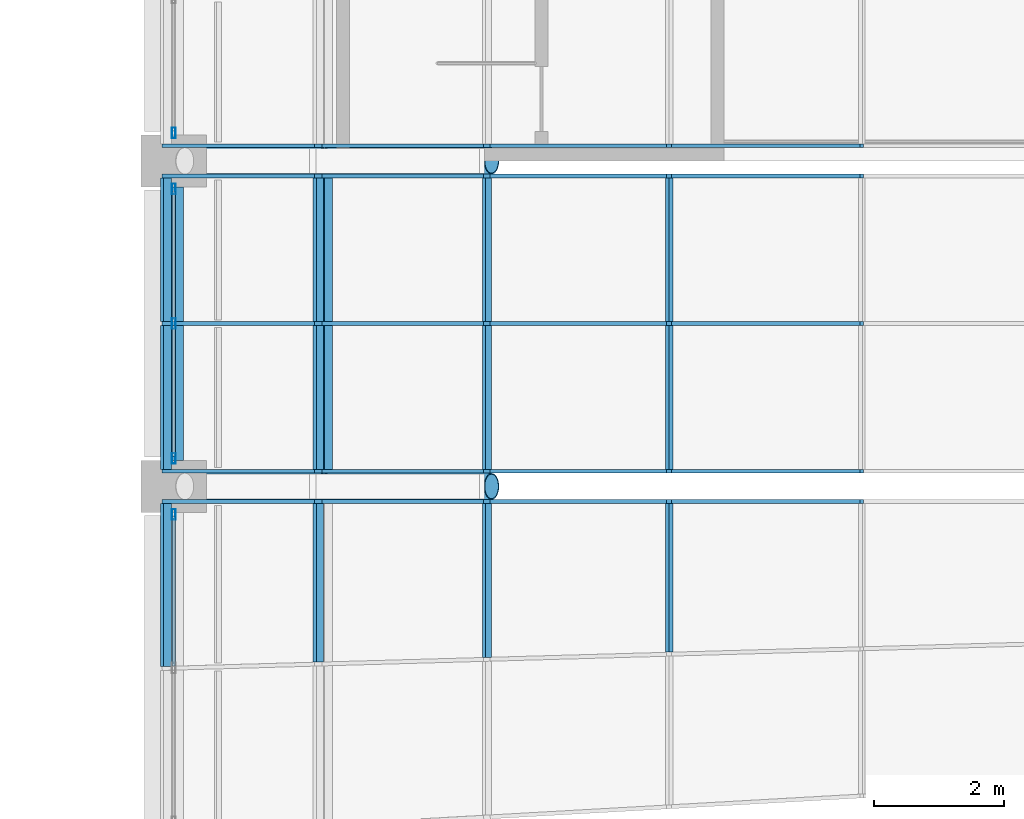
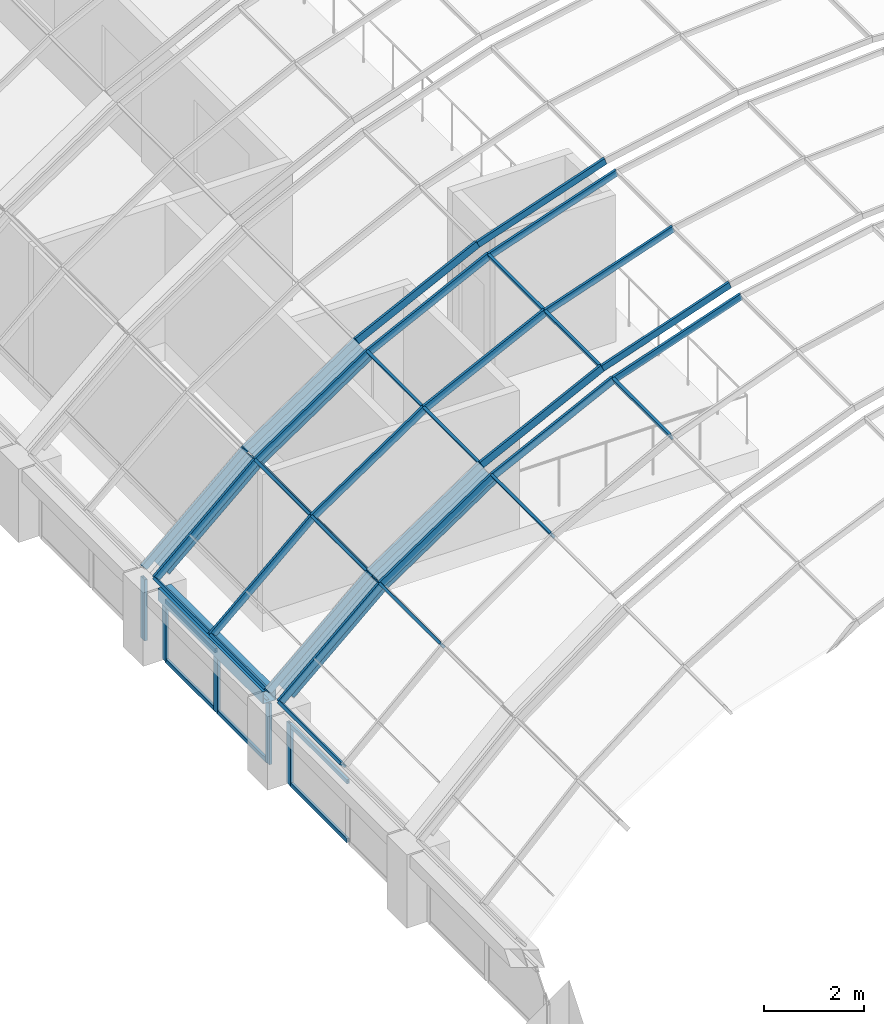
# One storey, part 37 of 182: 48 members, 1 beam, 6 elements without a shape of their own.
"""IFC4 building model written with IfcOpenShell, lengths in metres."""

from ifc_helpers import new_model, si_unit, direction, frame, origin, origin_2d, place, context, subcontext, project, spatial, rectangle, hollow_rectangle, hollow_circle, extrude, material, material_profile, profile_set, type_object, element, aggregate, save


model = new_model("IFC4")

# Units and contexts
model_context = context("Model", 3, precision=1e-05, world=origin(), true_north=direction((0.0, 1.0)))
body_context = subcontext(model_context, "Body", "Model", "MODEL_VIEW")
ifc_project = project(units=[si_unit("LENGTHUNIT", "METRE"), si_unit("AREAUNIT", "SQUARE_METRE"), si_unit("VOLUMEUNIT", "CUBIC_METRE"), si_unit("PLANEANGLEUNIT", "RADIAN"), si_unit("MASSUNIT", "GRAM", prefix="KILO")], contexts=[model_context])

# Site, building, storey
site_placement = place(None, origin())
site = spatial("IfcSite", under=ifc_project, at=site_placement, CompositionType="ELEMENT")
building_placement = place(site_placement, origin())
building = spatial("IfcBuilding", under=site, at=building_placement, Name="Okhra Congress Centre", CompositionType="ELEMENT")
storey_placement = place(building_placement, frame((0.0, 0.0, 7.199951171875)))
storey = spatial("IfcBuildingStorey", under=building, at=storey_placement, Name="L01", CompositionType="ELEMENT", Elevation=7.199951171875)

# Curtain wall, member
ifc_material_1 = material(Name="Aluminium frame with triple glazing", Category="aluminium")
curtain_wall_type_1 = type_object("IfcCurtainWallType", Name="Glazed vault bay curtain wall", PredefinedType="NOTDEFINED", material=ifc_material_1)
curtain_wall_1_placement = place(storey_placement, origin())
curtain_wall_1 = element("IfcCurtainWall", 1, at=curtain_wall_1_placement, inside=storey, type_object=curtain_wall_type_1, Name="Vault glazing bay 3", PredefinedType="NOTDEFINED")
ifc_material_2 = material(Name="Aluminium alloy 6063", Category="aluminium")
ifc_material_profile_1 = material_profile(ifc_material_2, rectangle(XDim=0.06005859375, YDim=0.159912109375, at=origin_2d()), Name="AL 60x160")
ifc_profile_set_1 = profile_set([ifc_material_profile_1], Name="Aluminium alloy 6063")
member_type_1 = type_object("IfcMemberType", Name="Aluminium mullion 60x160", PredefinedType="MULLION", material=ifc_profile_set_1)
member_1_placement = place(storey_placement, frame((163.11328125, 90.766845703125, 7.12255859375), z_axis=(0.946065064306, 0.0, 0.323976687587), x_axis=(0.0, 1.0, 0.0)))
member_1 = element("IfcMember", 2, at=member_1_placement, type_object=member_type_1, Name="Vault mullion 3.3.4", PredefinedType="MULLION", context=body_context, shape_type="SweptSolid", body=[
    extrude(rectangle(XDim=0.06005859375, YDim=0.159912109375, at=origin_2d()), origin(), (0.0, 0.0, 1.0), 3.124267578125),
])

# Curtain wall, members
curtain_wall_2_placement = place(storey_placement, origin())
curtain_wall_2 = element("IfcCurtainWall", 3, at=curtain_wall_2_placement, inside=storey, type_object=curtain_wall_type_1, Name="Vault glazing bay 4", PredefinedType="NOTDEFINED")
member_2_placement = place(storey_placement, frame((163.11328125, 91.233154296875, 7.12255859375), z_axis=(0.946065064306, 0.0, 0.323976687587), x_axis=(0.0, 1.0, 0.0)))
member_2 = element("IfcMember", 4, at=member_2_placement, type_object=member_type_1, Name="Vault mullion 4.1.4", PredefinedType="MULLION", context=body_context, shape_type="SweptSolid", body=[
    extrude(rectangle(XDim=0.06005859375, YDim=0.159912109375, at=origin_2d()), origin(), (0.0, 0.0, 1.0), 3.124267578125),
])
member_3_placement = place(storey_placement, frame((163.11328125, 93.5, 7.12255859375), z_axis=(0.946065064306, 0.0, 0.323976687587), x_axis=(0.0, 1.0, 0.0)))
member_3 = element("IfcMember", 5, at=member_3_placement, type_object=member_type_1, Name="Vault mullion 4.2.4", PredefinedType="MULLION", context=body_context, shape_type="SweptSolid", body=[
    extrude(rectangle(XDim=0.06005859375, YDim=0.159912109375, at=origin_2d()), origin(), (0.0, 0.0, 1.0), 3.124267578125),
])
member_4_placement = place(storey_placement, frame((163.11328125, 95.766845703125, 7.12255859375), z_axis=(0.946065064306, 0.0, 0.323976687587), x_axis=(0.0, 1.0, 0.0)))
member_4 = element("IfcMember", 6, at=member_4_placement, type_object=member_type_1, Name="Vault mullion 4.3.4", PredefinedType="MULLION", context=body_context, shape_type="SweptSolid", body=[
    extrude(rectangle(XDim=0.06005859375, YDim=0.159912109375, at=origin_2d()), origin(), (0.0, 0.0, 1.0), 3.124267578125),
])

# Curtain wall, member
curtain_wall_3_placement = place(storey_placement, origin())
curtain_wall_3 = element("IfcCurtainWall", 7, at=curtain_wall_3_placement, inside=storey, type_object=curtain_wall_type_1, Name="Vault glazing bay 5", PredefinedType="NOTDEFINED")
member_5_placement = place(storey_placement, frame((163.11328125, 96.233154296875, 7.12255859375), z_axis=(0.946065064306, 0.0, 0.323976687587), x_axis=(0.0, 1.0, 0.0)))
member_5 = element("IfcMember", 8, at=member_5_placement, type_object=member_type_1, Name="Vault mullion 5.1.4", PredefinedType="MULLION", context=body_context, shape_type="SweptSolid", body=[
    extrude(rectangle(XDim=0.06005859375, YDim=0.159912109375, at=origin_2d()), origin(), (0.0, 0.0, 1.0), 3.124267578125),
])

# Member
ifc_material_profile_2 = material_profile(ifc_material_2, rectangle(XDim=0.06005859375, YDim=0.179931640625, at=origin_2d()), Name="AL 60x180")
ifc_profile_set_2 = profile_set([ifc_material_profile_2], Name="Aluminium alloy 6063")
member_type_2 = type_object("IfcMemberType", Name="Aluminium mullion 60x180", PredefinedType="MULLION", material=ifc_profile_set_2)
member_6_placement = place(storey_placement, frame((155.382568359375, 90.766845703125, 1.916015625), z_axis=(0.748025229923, 0.0, 0.663670291183), x_axis=(0.0, 1.0, 0.0)))
member_6 = element("IfcMember", 9, at=member_6_placement, type_object=member_type_2, Name="Vault mullion 3.3.1", PredefinedType="MULLION", context=body_context, shape_type="SweptSolid", body=[
    extrude(rectangle(XDim=0.06005859375, YDim=0.179931640625, at=origin_2d()), origin(), (0.0, 0.0, 1.0), 3.125732421875),
])

member_7_placement = place(storey_placement, frame((157.720703125, 90.766845703125, 3.990478515625), z_axis=(0.828827846338, 0.0, 0.559503709671), x_axis=(0.0, 1.0, 0.0)))
member_7 = element("IfcMember", 10, at=member_7_placement, type_object=member_type_2, Name="Vault mullion 3.3.2", PredefinedType="MULLION", context=body_context, shape_type="SweptSolid", body=[
    extrude(rectangle(XDim=0.06005859375, YDim=0.179931640625, at=origin_2d()), origin(), (0.0, 0.0, 1.0), 3.12548828125),
])

member_8_placement = place(storey_placement, frame((160.311279296875, 90.766845703125, 5.7392578125), z_axis=(0.895253656313, 0.0, 0.445556832354), x_axis=(0.0, 1.0, 0.0)))
member_8 = element("IfcMember", 11, at=member_8_placement, type_object=member_type_2, Name="Vault mullion 3.3.3", PredefinedType="MULLION", context=body_context, shape_type="SweptSolid", body=[
    extrude(rectangle(XDim=0.06005859375, YDim=0.179931640625, at=origin_2d()), origin(), (0.0, 0.0, 1.0), 3.12548828125),
])

member_9_placement = place(storey_placement, frame((155.382568359375, 91.233154296875, 1.916015625), z_axis=(0.748025229923, 0.0, 0.663670291183), x_axis=(0.0, 1.0, 0.0)))
member_9 = element("IfcMember", 12, at=member_9_placement, type_object=member_type_2, Name="Vault mullion 4.1.1", PredefinedType="MULLION", context=body_context, shape_type="SweptSolid", body=[
    extrude(rectangle(XDim=0.06005859375, YDim=0.179931640625, at=origin_2d()), origin(), (0.0, 0.0, 1.0), 3.125732421875),
])

member_10_placement = place(storey_placement, frame((157.720703125, 91.233154296875, 3.990478515625), z_axis=(0.828827846338, 0.0, 0.559503709671), x_axis=(0.0, 1.0, 0.0)))
member_10 = element("IfcMember", 13, at=member_10_placement, type_object=member_type_2, Name="Vault mullion 4.1.2", PredefinedType="MULLION", context=body_context, shape_type="SweptSolid", body=[
    extrude(rectangle(XDim=0.06005859375, YDim=0.179931640625, at=origin_2d()), origin(), (0.0, 0.0, 1.0), 3.12548828125),
])

member_11_placement = place(storey_placement, frame((160.311279296875, 91.233154296875, 5.7392578125), z_axis=(0.895253656313, 0.0, 0.445556832354), x_axis=(0.0, 1.0, 0.0)))
member_11 = element("IfcMember", 14, at=member_11_placement, type_object=member_type_2, Name="Vault mullion 4.1.3", PredefinedType="MULLION", context=body_context, shape_type="SweptSolid", body=[
    extrude(rectangle(XDim=0.06005859375, YDim=0.179931640625, at=origin_2d()), origin(), (0.0, 0.0, 1.0), 3.12548828125),
])

member_12_placement = place(storey_placement, frame((155.382568359375, 93.5, 1.916015625), z_axis=(0.748025229923, 0.0, 0.663670291183), x_axis=(0.0, 1.0, 0.0)))
member_12 = element("IfcMember", 15, at=member_12_placement, type_object=member_type_2, Name="Vault mullion 4.2.1", PredefinedType="MULLION", context=body_context, shape_type="SweptSolid", body=[
    extrude(rectangle(XDim=0.06005859375, YDim=0.179931640625, at=origin_2d()), origin(), (0.0, 0.0, 1.0), 3.125732421875),
])

member_13_placement = place(storey_placement, frame((157.720703125, 93.5, 3.990478515625), z_axis=(0.828827846338, 0.0, 0.559503709671), x_axis=(0.0, 1.0, 0.0)))
member_13 = element("IfcMember", 16, at=member_13_placement, type_object=member_type_2, Name="Vault mullion 4.2.2", PredefinedType="MULLION", context=body_context, shape_type="SweptSolid", body=[
    extrude(rectangle(XDim=0.06005859375, YDim=0.179931640625, at=origin_2d()), origin(), (0.0, 0.0, 1.0), 3.12548828125),
])

member_14_placement = place(storey_placement, frame((160.311279296875, 93.5, 5.7392578125), z_axis=(0.895253656313, 0.0, 0.445556832354), x_axis=(0.0, 1.0, 0.0)))
member_14 = element("IfcMember", 17, at=member_14_placement, type_object=member_type_2, Name="Vault mullion 4.2.3", PredefinedType="MULLION", context=body_context, shape_type="SweptSolid", body=[
    extrude(rectangle(XDim=0.06005859375, YDim=0.179931640625, at=origin_2d()), origin(), (0.0, 0.0, 1.0), 3.12548828125),
])

member_15_placement = place(storey_placement, frame((155.382568359375, 95.766845703125, 1.916015625), z_axis=(0.748025229923, 0.0, 0.663670291183), x_axis=(0.0, 1.0, 0.0)))
member_15 = element("IfcMember", 18, at=member_15_placement, type_object=member_type_2, Name="Vault mullion 4.3.1", PredefinedType="MULLION", context=body_context, shape_type="SweptSolid", body=[
    extrude(rectangle(XDim=0.06005859375, YDim=0.179931640625, at=origin_2d()), origin(), (0.0, 0.0, 1.0), 3.125732421875),
])

member_16_placement = place(storey_placement, frame((157.720703125, 95.766845703125, 3.990478515625), z_axis=(0.828827846338, 0.0, 0.559503709671), x_axis=(0.0, 1.0, 0.0)))
member_16 = element("IfcMember", 19, at=member_16_placement, type_object=member_type_2, Name="Vault mullion 4.3.2", PredefinedType="MULLION", context=body_context, shape_type="SweptSolid", body=[
    extrude(rectangle(XDim=0.06005859375, YDim=0.179931640625, at=origin_2d()), origin(), (0.0, 0.0, 1.0), 3.12548828125),
])

member_17_placement = place(storey_placement, frame((160.311279296875, 95.766845703125, 5.7392578125), z_axis=(0.895253656313, 0.0, 0.445556832354), x_axis=(0.0, 1.0, 0.0)))
member_17 = element("IfcMember", 20, at=member_17_placement, type_object=member_type_2, Name="Vault mullion 4.3.3", PredefinedType="MULLION", context=body_context, shape_type="SweptSolid", body=[
    extrude(rectangle(XDim=0.06005859375, YDim=0.179931640625, at=origin_2d()), origin(), (0.0, 0.0, 1.0), 3.12548828125),
])

member_18_placement = place(storey_placement, frame((155.382568359375, 96.233154296875, 1.916015625), z_axis=(0.748025229923, 0.0, 0.663670291183), x_axis=(0.0, 1.0, 0.0)))
member_18 = element("IfcMember", 21, at=member_18_placement, type_object=member_type_2, Name="Vault mullion 5.1.1", PredefinedType="MULLION", context=body_context, shape_type="SweptSolid", body=[
    extrude(rectangle(XDim=0.06005859375, YDim=0.179931640625, at=origin_2d()), origin(), (0.0, 0.0, 1.0), 3.125732421875),
])

member_19_placement = place(storey_placement, frame((157.720703125, 96.233154296875, 3.990478515625), z_axis=(0.828827846338, 0.0, 0.559503709671), x_axis=(0.0, 1.0, 0.0)))
member_19 = element("IfcMember", 22, at=member_19_placement, type_object=member_type_2, Name="Vault mullion 5.1.2", PredefinedType="MULLION", context=body_context, shape_type="SweptSolid", body=[
    extrude(rectangle(XDim=0.06005859375, YDim=0.179931640625, at=origin_2d()), origin(), (0.0, 0.0, 1.0), 3.12548828125),
])

member_20_placement = place(storey_placement, frame((160.311279296875, 96.233154296875, 5.7392578125), z_axis=(0.895253656313, 0.0, 0.445556832354), x_axis=(0.0, 1.0, 0.0)))
member_20 = element("IfcMember", 23, at=member_20_placement, type_object=member_type_2, Name="Vault mullion 5.1.3", PredefinedType="MULLION", context=body_context, shape_type="SweptSolid", body=[
    extrude(rectangle(XDim=0.06005859375, YDim=0.179931640625, at=origin_2d()), origin(), (0.0, 0.0, 1.0), 3.12548828125),
])

aggregate(curtain_wall_3, [member_18, member_19, member_20, member_5])

ifc_material_profile_3 = material_profile(ifc_material_2, rectangle(XDim=0.06005859375, YDim=0.159912109375, at=origin_2d()), Name="AL 60x160 transom")
ifc_profile_set_3 = profile_set([ifc_material_profile_3], Name="Aluminium alloy 6063")
member_type_3 = type_object("IfcMemberType", Name="Aluminium transom 60x160", PredefinedType="USERDEFINED", material=ifc_profile_set_3)
member_21_placement = place(storey_placement, frame((163.11328125, 88.4521484375, 7.12255859375), z_axis=(0.0, 1.0, 0.0), x_axis=(-0.922668973833, 0.0, -0.38559300399)))
member_21 = element("IfcMember", 24, at=member_21_placement, type_object=member_type_3, Name="Vault transom 3.2.4", ObjectType="TRANSOM", PredefinedType="USERDEFINED", context=body_context, shape_type="SweptSolid", body=[
    extrude(rectangle(XDim=0.06005859375, YDim=0.159912109375, at=origin_2d()), origin(), (0.0, 0.0, 1.0), 2.28466796875),
])

member_22_placement = place(storey_placement, frame((163.11328125, 91.26318359375, 7.12255859375), z_axis=(0.0, 1.0, 0.0), x_axis=(-0.922668973833, 0.0, -0.38559300399)))
member_22 = element("IfcMember", 25, at=member_22_placement, type_object=member_type_3, Name="Vault transom 4.1.4", ObjectType="TRANSOM", PredefinedType="USERDEFINED", context=body_context, shape_type="SweptSolid", body=[
    extrude(rectangle(XDim=0.06005859375, YDim=0.159912109375, at=origin_2d()), origin(), (0.0, 0.0, 1.0), 2.206787109375),
])

member_23_placement = place(storey_placement, frame((163.11328125, 93.530029296875, 7.12255859375), z_axis=(0.0, 1.0, 0.0), x_axis=(-0.922668973833, 0.0, -0.38559300399)))
member_23 = element("IfcMember", 26, at=member_23_placement, type_object=member_type_3, Name="Vault transom 4.2.4", ObjectType="TRANSOM", PredefinedType="USERDEFINED", context=body_context, shape_type="SweptSolid", body=[
    extrude(rectangle(XDim=0.06005859375, YDim=0.159912109375, at=origin_2d()), origin(), (0.0, 0.0, 1.0), 2.206787109375),
])

ifc_material_profile_4 = material_profile(ifc_material_2, rectangle(XDim=0.06005859375, YDim=0.179931640625, at=origin_2d()), Name="AL 60x180 transom")
ifc_profile_set_4 = profile_set([ifc_material_profile_4], Name="Aluminium alloy 6063")
member_type_4 = type_object("IfcMemberType", Name="Aluminium transom 60x180", PredefinedType="USERDEFINED", material=ifc_profile_set_4)
member_24_placement = place(storey_placement, frame((155.382568359375, 88.234619140625, 1.916015625), z_axis=(0.0, 1.0, 0.0), x_axis=(-0.702636070549, 0.0, -0.711549402616)))
member_24 = element("IfcMember", 27, at=member_24_placement, type_object=member_type_4, Name="Vault transom 3.2.1", ObjectType="TRANSOM", PredefinedType="USERDEFINED", context=body_context, shape_type="SweptSolid", body=[
    extrude(rectangle(XDim=0.06005859375, YDim=0.179931640625, at=origin_2d()), origin(), (0.0, 0.0, 1.0), 2.502197265625),
])

member_25_placement = place(storey_placement, frame((157.720703125, 88.300537109375, 3.990478515625), z_axis=(0.0, 1.0, 0.0), x_axis=(-0.790145035185, 0.0, -0.612919915954)))
member_25 = element("IfcMember", 28, at=member_25_placement, type_object=member_type_4, Name="Vault transom 3.2.2", ObjectType="TRANSOM", PredefinedType="USERDEFINED", context=body_context, shape_type="SweptSolid", body=[
    extrude(rectangle(XDim=0.06005859375, YDim=0.179931640625, at=origin_2d()), origin(), (0.0, 0.0, 1.0), 2.436279296875),
])

member_26_placement = place(storey_placement, frame((160.311279296875, 88.373291015625, 5.7392578125), z_axis=(0.0, 1.0, 0.0), x_axis=(-0.86391685861, 0.0, -0.503634452167)))
member_26 = element("IfcMember", 29, at=member_26_placement, type_object=member_type_4, Name="Vault transom 3.2.3", ObjectType="TRANSOM", PredefinedType="USERDEFINED", context=body_context, shape_type="SweptSolid", body=[
    extrude(rectangle(XDim=0.06005859375, YDim=0.179931640625, at=origin_2d()), origin(), (0.0, 0.0, 1.0), 2.363525390625),
])

aggregate(curtain_wall_1, [member_6, member_7, member_8, member_1, member_24, member_25, member_26, member_21])

member_27_placement = place(storey_placement, frame((155.382568359375, 91.26318359375, 1.916015625), z_axis=(0.0, 1.0, 0.0), x_axis=(-0.702636070549, 0.0, -0.711549402616)))
member_27 = element("IfcMember", 30, at=member_27_placement, type_object=member_type_4, Name="Vault transom 4.1.1", ObjectType="TRANSOM", PredefinedType="USERDEFINED", context=body_context, shape_type="SweptSolid", body=[
    extrude(rectangle(XDim=0.06005859375, YDim=0.179931640625, at=origin_2d()), origin(), (0.0, 0.0, 1.0), 2.206787109375),
])

member_28_placement = place(storey_placement, frame((157.720703125, 91.26318359375, 3.990478515625), z_axis=(0.0, 1.0, 0.0), x_axis=(-0.790145035185, 0.0, -0.612919915954)))
member_28 = element("IfcMember", 31, at=member_28_placement, type_object=member_type_4, Name="Vault transom 4.1.2", ObjectType="TRANSOM", PredefinedType="USERDEFINED", context=body_context, shape_type="SweptSolid", body=[
    extrude(rectangle(XDim=0.06005859375, YDim=0.179931640625, at=origin_2d()), origin(), (0.0, 0.0, 1.0), 2.206787109375),
])

member_29_placement = place(storey_placement, frame((160.311279296875, 91.26318359375, 5.7392578125), z_axis=(0.0, 1.0, 0.0), x_axis=(-0.86391685861, 0.0, -0.503634452167)))
member_29 = element("IfcMember", 32, at=member_29_placement, type_object=member_type_4, Name="Vault transom 4.1.3", ObjectType="TRANSOM", PredefinedType="USERDEFINED", context=body_context, shape_type="SweptSolid", body=[
    extrude(rectangle(XDim=0.06005859375, YDim=0.179931640625, at=origin_2d()), origin(), (0.0, 0.0, 1.0), 2.206787109375),
])

member_30_placement = place(storey_placement, frame((155.382568359375, 93.530029296875, 1.916015625), z_axis=(0.0, 1.0, 0.0), x_axis=(-0.702636070549, 0.0, -0.711549402616)))
member_30 = element("IfcMember", 33, at=member_30_placement, type_object=member_type_4, Name="Vault transom 4.2.1", ObjectType="TRANSOM", PredefinedType="USERDEFINED", context=body_context, shape_type="SweptSolid", body=[
    extrude(rectangle(XDim=0.06005859375, YDim=0.179931640625, at=origin_2d()), origin(), (0.0, 0.0, 1.0), 2.206787109375),
])

member_31_placement = place(storey_placement, frame((157.720703125, 93.530029296875, 3.990478515625), z_axis=(0.0, 1.0, 0.0), x_axis=(-0.790145035185, 0.0, -0.612919915954)))
member_31 = element("IfcMember", 34, at=member_31_placement, type_object=member_type_4, Name="Vault transom 4.2.2", ObjectType="TRANSOM", PredefinedType="USERDEFINED", context=body_context, shape_type="SweptSolid", body=[
    extrude(rectangle(XDim=0.06005859375, YDim=0.179931640625, at=origin_2d()), origin(), (0.0, 0.0, 1.0), 2.206787109375),
])

member_32_placement = place(storey_placement, frame((160.311279296875, 93.530029296875, 5.7392578125), z_axis=(0.0, 1.0, 0.0), x_axis=(-0.86391685861, 0.0, -0.503634452167)))
member_32 = element("IfcMember", 35, at=member_32_placement, type_object=member_type_4, Name="Vault transom 4.2.3", ObjectType="TRANSOM", PredefinedType="USERDEFINED", context=body_context, shape_type="SweptSolid", body=[
    extrude(rectangle(XDim=0.06005859375, YDim=0.179931640625, at=origin_2d()), origin(), (0.0, 0.0, 1.0), 2.206787109375),
])

aggregate(curtain_wall_2, [member_9, member_10, member_11, member_2, member_12, member_13, member_14, member_3, member_15, member_16, member_17, member_4, member_27, member_28, member_29, member_22, member_30, member_31, member_32, member_23])

# Curtain wall, member
ifc_material_3 = material(Name="Aluminium curtain wall, triple glazing", Category="aluminium")
curtain_wall_type_2 = type_object("IfcCurtainWallType", Name="Curtain wall 2100 module", PredefinedType="NOTDEFINED", material=ifc_material_3)
curtain_wall_4_placement = place(storey_placement, origin())
curtain_wall_4 = element("IfcCurtainWall", 36, at=curtain_wall_4_placement, inside=storey, type_object=curtain_wall_type_2, Name="West bay 3 clerestory glazing", PredefinedType="NOTDEFINED")
ifc_material_4 = material(Name="Aluminium alloy EN AW-6063 T66", Category="aluminium")
ifc_material_profile_5 = material_profile(ifc_material_4, hollow_rectangle(XDim=0.06005859375, YDim=0.159912109375, WallThickness=0.00390625, at=origin_2d()), Name="RHS 60x160x4")
ifc_profile_set_5 = profile_set([ifc_material_profile_5], Name="Aluminium alloy EN AW-6063 T66")
member_type_5 = type_object("IfcMemberType", Name="Curtain wall mullion 60x160", PredefinedType="MULLION", material=ifc_profile_set_5)
member_33_placement = place(storey_placement, frame((155.5, 90.570068359375, 0.0), z_axis=(0.0, 0.0, 1.0), x_axis=(-1.0, 0.0, 0.0)))
member_33 = element("IfcMember", 37, at=member_33_placement, type_object=member_type_5, Name="CW4 mullion 3", PredefinedType="MULLION", context=body_context, shape_type="SweptSolid", body=[
    extrude(hollow_rectangle(XDim=0.06005859375, YDim=0.159912109375, WallThickness=0.00390625, at=origin_2d()), origin(), (0.0, 0.0, 1.0), 1.5),
])

# Curtain wall, members
curtain_wall_5_placement = place(storey_placement, origin())
curtain_wall_5 = element("IfcCurtainWall", 38, at=curtain_wall_5_placement, inside=storey, type_object=curtain_wall_type_2, Name="West bay 4 clerestory glazing", PredefinedType="NOTDEFINED")
member_34_placement = place(storey_placement, frame((155.5, 91.429931640625, 0.0), z_axis=(0.0, 0.0, 1.0), x_axis=(-1.0, 0.0, 0.0)))
member_34 = element("IfcMember", 39, at=member_34_placement, type_object=member_type_5, Name="CW4 mullion 1", PredefinedType="MULLION", context=body_context, shape_type="SweptSolid", body=[
    extrude(hollow_rectangle(XDim=0.06005859375, YDim=0.159912109375, WallThickness=0.00390625, at=origin_2d()), origin(), (0.0, 0.0, 1.0), 1.5),
])
member_35_placement = place(storey_placement, frame((155.5, 93.5, 0.0), z_axis=(0.0, 0.0, 1.0), x_axis=(-1.0, 0.0, 0.0)))
member_35 = element("IfcMember", 40, at=member_35_placement, type_object=member_type_5, Name="CW4 mullion 2", PredefinedType="MULLION", context=body_context, shape_type="SweptSolid", body=[
    extrude(hollow_rectangle(XDim=0.06005859375, YDim=0.159912109375, WallThickness=0.00390625, at=origin_2d()), origin(), (0.0, 0.0, 1.0), 1.5),
])
member_36_placement = place(storey_placement, frame((155.5, 95.570068359375, 0.0), z_axis=(0.0, 0.0, 1.0), x_axis=(-1.0, 0.0, 0.0)))
member_36 = element("IfcMember", 41, at=member_36_placement, type_object=member_type_5, Name="CW4 mullion 3", PredefinedType="MULLION", context=body_context, shape_type="SweptSolid", body=[
    extrude(hollow_rectangle(XDim=0.06005859375, YDim=0.159912109375, WallThickness=0.00390625, at=origin_2d()), origin(), (0.0, 0.0, 1.0), 1.5),
])

# Curtain wall, member
curtain_wall_6_placement = place(storey_placement, origin())
curtain_wall_6 = element("IfcCurtainWall", 42, at=curtain_wall_6_placement, inside=storey, type_object=curtain_wall_type_2, Name="West bay 5 clerestory glazing", PredefinedType="NOTDEFINED")
member_37_placement = place(storey_placement, frame((155.5, 96.429931640625, 0.0), z_axis=(0.0, 0.0, 1.0), x_axis=(-1.0, 0.0, 0.0)))
member_37 = element("IfcMember", 43, at=member_37_placement, type_object=member_type_5, Name="CW4 mullion 1", PredefinedType="MULLION", context=body_context, shape_type="SweptSolid", body=[
    extrude(hollow_rectangle(XDim=0.06005859375, YDim=0.159912109375, WallThickness=0.00390625, at=origin_2d()), origin(), (0.0, 0.0, 1.0), 1.5),
])
aggregate(curtain_wall_6, [member_37])

# Member
ifc_material_profile_6 = material_profile(ifc_material_4, hollow_rectangle(XDim=0.06005859375, YDim=0.10009765625, WallThickness=0.00390625, at=origin_2d()), Name="RHS 60x100x4")
ifc_profile_set_6 = profile_set([ifc_material_profile_6], Name="Aluminium alloy EN AW-6063 T66")
member_type_6 = type_object("IfcMemberType", Name="Curtain wall transom 60x100", PredefinedType="USERDEFINED", material=ifc_profile_set_6)
member_38_placement = place(storey_placement, frame((155.5, 88.23779296875, 0.030029296875), z_axis=(0.0, 1.0, 0.0), x_axis=(-1.0, 0.0, 0.0)))
member_38 = element("IfcMember", 44, at=member_38_placement, type_object=member_type_6, Name="CW4 transom 2.1", ObjectType="TRANSOM", PredefinedType="USERDEFINED", context=body_context, shape_type="SweptSolid", body=[
    extrude(hollow_rectangle(XDim=0.06005859375, YDim=0.10009765625, WallThickness=0.00390625, at=origin_2d()), origin(), (0.0, 0.0, 1.0), 2.30224609375),
])

member_39_placement = place(storey_placement, frame((155.5, 88.23779296875, 1.469970703125), z_axis=(0.0, 1.0, 0.0), x_axis=(-1.0, 0.0, 0.0)))
member_39 = element("IfcMember", 45, at=member_39_placement, type_object=member_type_6, Name="CW4 transom 2.2", ObjectType="TRANSOM", PredefinedType="USERDEFINED", context=body_context, shape_type="SweptSolid", body=[
    extrude(hollow_rectangle(XDim=0.06005859375, YDim=0.10009765625, WallThickness=0.00390625, at=origin_2d()), origin(), (0.0, 0.0, 1.0), 2.30224609375),
])

aggregate(curtain_wall_4, [member_33, member_38, member_39])

member_40_placement = place(storey_placement, frame((155.5, 91.4599609375, 0.030029296875), z_axis=(0.0, 1.0, 0.0), x_axis=(-1.0, 0.0, 0.0)))
member_40 = element("IfcMember", 46, at=member_40_placement, type_object=member_type_6, Name="CW4 transom 1.1", ObjectType="TRANSOM", PredefinedType="USERDEFINED", context=body_context, shape_type="SweptSolid", body=[
    extrude(hollow_rectangle(XDim=0.06005859375, YDim=0.10009765625, WallThickness=0.00390625, at=origin_2d()), origin(), (0.0, 0.0, 1.0), 2.010009765625),
])

member_41_placement = place(storey_placement, frame((155.5, 91.4599609375, 1.469970703125), z_axis=(0.0, 1.0, 0.0), x_axis=(-1.0, 0.0, 0.0)))
member_41 = element("IfcMember", 47, at=member_41_placement, type_object=member_type_6, Name="CW4 transom 1.2", ObjectType="TRANSOM", PredefinedType="USERDEFINED", context=body_context, shape_type="SweptSolid", body=[
    extrude(hollow_rectangle(XDim=0.06005859375, YDim=0.10009765625, WallThickness=0.00390625, at=origin_2d()), origin(), (0.0, 0.0, 1.0), 2.010009765625),
])

member_42_placement = place(storey_placement, frame((155.5, 93.530029296875, 0.030029296875), z_axis=(0.0, 1.0, 0.0), x_axis=(-1.0, 0.0, 0.0)))
member_42 = element("IfcMember", 48, at=member_42_placement, type_object=member_type_6, Name="CW4 transom 2.1", ObjectType="TRANSOM", PredefinedType="USERDEFINED", context=body_context, shape_type="SweptSolid", body=[
    extrude(hollow_rectangle(XDim=0.06005859375, YDim=0.10009765625, WallThickness=0.00390625, at=origin_2d()), origin(), (0.0, 0.0, 1.0), 2.010009765625),
])

member_43_placement = place(storey_placement, frame((155.5, 93.530029296875, 1.469970703125), z_axis=(0.0, 1.0, 0.0), x_axis=(-1.0, 0.0, 0.0)))
member_43 = element("IfcMember", 49, at=member_43_placement, type_object=member_type_6, Name="CW4 transom 2.2", ObjectType="TRANSOM", PredefinedType="USERDEFINED", context=body_context, shape_type="SweptSolid", body=[
    extrude(hollow_rectangle(XDim=0.06005859375, YDim=0.10009765625, WallThickness=0.00390625, at=origin_2d()), origin(), (0.0, 0.0, 1.0), 2.010009765625),
])

aggregate(curtain_wall_5, [member_34, member_35, member_36, member_40, member_41, member_42, member_43])

# Beam
ifc_material_5 = material(Name="Steel S355J2", Category="steel")
ifc_material_profile_7 = material_profile(ifc_material_5, hollow_rectangle(XDim=0.300048828125, YDim=0.300048828125, WallThickness=0.012451171875, at=origin_2d()), Name="RHS 300x300x12.5")
ifc_profile_set_7 = profile_set([ifc_material_profile_7], Name="Steel S355J2")
beam_type = type_object("IfcBeamType", Name="Steel eaves beam RHS 300x300x12.5", PredefinedType="BEAM", material=ifc_profile_set_7)
beam_placement = place(storey_placement, frame((155.5, 91.39990234375, 1.650146484375), z_axis=(0.0, 1.0, 0.0), x_axis=(-1.0, 0.0, 0.0)))
element("IfcBeam", 50, at=beam_placement, inside=storey, type_object=beam_type, Name="Eaves beam W4", PredefinedType="BEAM", context=body_context, shape_type="SweptSolid", body=[
    extrude(hollow_rectangle(XDim=0.300048828125, YDim=0.300048828125, WallThickness=0.012451171875, at=origin_2d()), origin(), (0.0, 0.0, 1.0), 4.2001953125),
])

# Members
ifc_material_profile_8 = material_profile(ifc_material_5, hollow_rectangle(XDim=0.10009765625, YDim=0.199951171875, WallThickness=0.008056640625, at=origin_2d()), Name="RHS 200x100x8")
ifc_profile_set_8 = profile_set([ifc_material_profile_8], Name="Steel S355J2")
member_type_7 = type_object("IfcMemberType", Name="Steel purlin RHS 200x100x8", PredefinedType="PURLIN", material=ifc_profile_set_8)
member_44_placement = place(storey_placement, frame((157.837158203125, 91.203125, 3.84033203125), z_axis=(0.0, 1.0, 0.0), x_axis=(-0.790145035185, 0.0, -0.612919915954)))
element("IfcMember", 51, at=member_44_placement, inside=storey, type_object=member_type_7, Name="Vault purlin 4.1", PredefinedType="PURLIN", context=body_context, shape_type="SweptSolid", body=[
    extrude(hollow_rectangle(XDim=0.10009765625, YDim=0.199951171875, WallThickness=0.008056640625, at=origin_2d()), origin(), (0.0, 0.0, 1.0), 4.59375),
])
ifc_material_profile_9 = material_profile(ifc_material_5, hollow_circle(Radius=0.203125, WallThickness=0.01611328125, at=origin_2d()), Name="CHS 406.4x16")
ifc_profile_set_9 = profile_set([ifc_material_profile_9], Name="Steel S355J2")
member_type_8 = type_object("IfcMemberType", Name="Tubular steel arch rib CHS 406x16", PredefinedType="USERDEFINED", material=ifc_profile_set_9)
member_45_placement = place(storey_placement, frame((155.67138671875, 91.0, 1.9521484375), z_axis=(0.74800221093, 0.0, 0.663696235069), x_axis=(0.0, 1.0, 0.0)))
element("IfcMember", 52, at=member_45_placement, inside=storey, type_object=member_type_8, Name="Arch rib 4.1", ObjectType="Arch rib", PredefinedType="USERDEFINED", context=body_context, shape_type="SweptSolid", body=[
    extrude(hollow_circle(Radius=0.203125, WallThickness=0.01611328125, at=origin_2d()), origin(), (0.0, 0.0, 1.0), 2.861083984375),
])
member_46_placement = place(storey_placement, frame((157.8330078125, 91.0, 3.86767578125), z_axis=(0.82882567543, 0.0, 0.559506925558), x_axis=(0.0, 1.0, 0.0)))
element("IfcMember", 53, at=member_46_placement, inside=storey, type_object=member_type_8, Name="Arch rib 4.2", ObjectType="Arch rib", PredefinedType="USERDEFINED", context=body_context, shape_type="SweptSolid", body=[
    extrude(hollow_circle(Radius=0.203125, WallThickness=0.01611328125, at=origin_2d()), origin(), (0.0, 0.0, 1.0), 3.07666015625),
])
member_47_placement = place(storey_placement, frame((155.67138671875, 96.0, 1.9521484375), z_axis=(0.74800221093, 0.0, 0.663696235069), x_axis=(0.0, 1.0, 0.0)))
element("IfcMember", 54, at=member_47_placement, inside=storey, type_object=member_type_8, Name="Arch rib 5.1", ObjectType="Arch rib", PredefinedType="USERDEFINED", context=body_context, shape_type="SweptSolid", body=[
    extrude(hollow_circle(Radius=0.203125, WallThickness=0.01611328125, at=origin_2d()), origin(), (0.0, 0.0, 1.0), 2.861083984375),
])
member_48_placement = place(storey_placement, frame((157.8330078125, 96.0, 3.86767578125), z_axis=(0.82882567543, 0.0, 0.559506925558), x_axis=(0.0, 1.0, 0.0)))
element("IfcMember", 55, at=member_48_placement, inside=storey, type_object=member_type_8, Name="Arch rib 5.2", ObjectType="Arch rib", PredefinedType="USERDEFINED", context=body_context, shape_type="SweptSolid", body=[
    extrude(hollow_circle(Radius=0.203125, WallThickness=0.01611328125, at=origin_2d()), origin(), (0.0, 0.0, 1.0), 3.07666015625),
])

save(model, "model.ifc")
